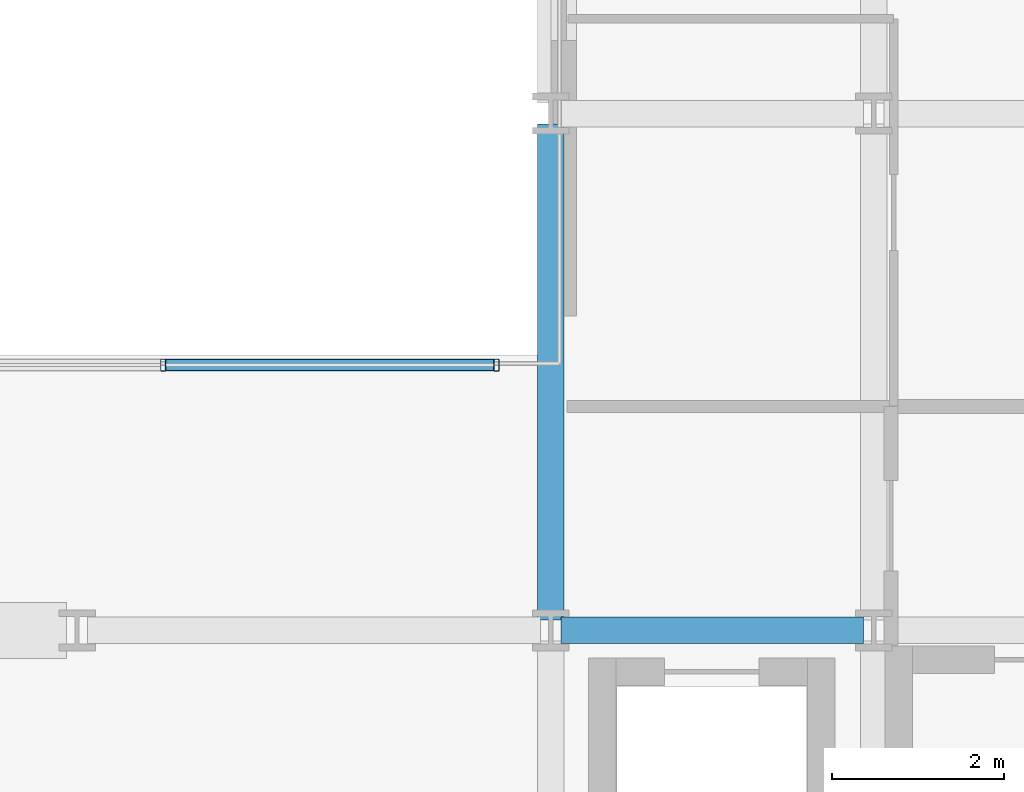
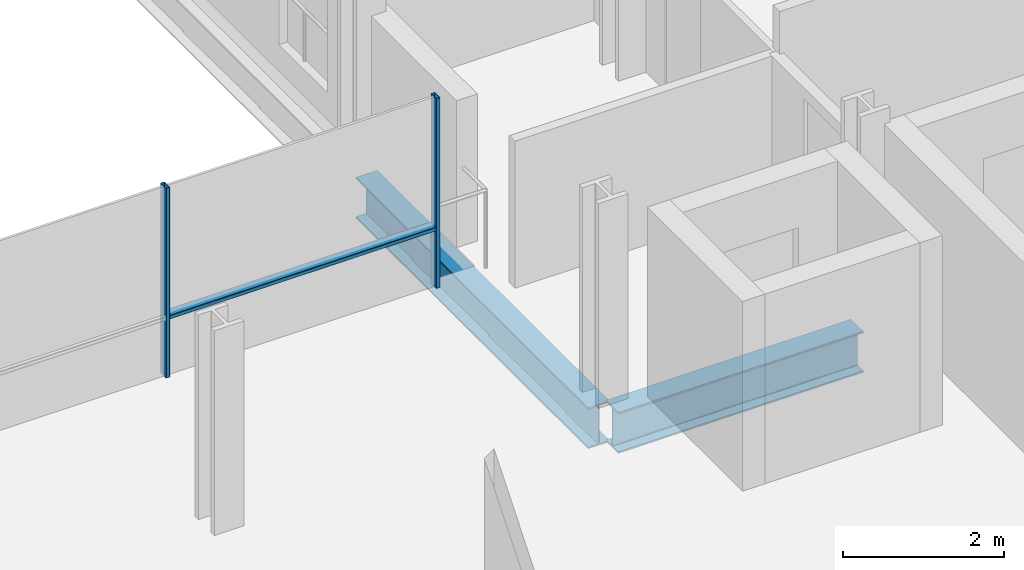
# One storey, part 13 of 41: 3 members, 2 beams, 1 element without a shape of its own.
"""IFC4 building model written with IfcOpenShell, lengths in metres."""

from ifc_helpers import new_model, si_unit, direction, frame, origin, origin_2d, place, context, subcontext, project, spatial, hollow_rectangle, i_section, extrude, material, layer, layer_set, material_profile, profile_set, type_object, element, aggregate, save


model = new_model("IFC4")

# Units and contexts
model_context = context("Model", 3, precision=1e-05, world=origin(), true_north=direction((0.0, 1.0)))
body_context = subcontext(model_context, "Body", "Model", "MODEL_VIEW")
ifc_project = project(units=[si_unit("LENGTHUNIT", "METRE"), si_unit("AREAUNIT", "SQUARE_METRE"), si_unit("VOLUMEUNIT", "CUBIC_METRE"), si_unit("PLANEANGLEUNIT", "RADIAN"), si_unit("MASSUNIT", "GRAM", prefix="KILO")], contexts=[model_context])

# Site, building, storey
site_placement = place(None, origin())
site = spatial("IfcSite", under=ifc_project, at=site_placement, CompositionType="ELEMENT")
building_placement = place(site_placement, origin())
building = spatial("IfcBuilding", under=site, at=building_placement, Name="Brevholm Reach", CompositionType="ELEMENT")
storey_placement = place(building_placement, frame((0.0, 0.0, 49.699951171875)))
storey = spatial("IfcBuildingStorey", under=building, at=storey_placement, Name="L13", CompositionType="ELEMENT", Elevation=49.699951171875)

# Beams
ifc_material_1 = material(Name="Structural Steel S355J2", Category="steel")
ifc_material_profile_1 = material_profile(ifc_material_1, i_section(OverallWidth=0.30712890625, OverallDepth=0.6201171875, WebThickness=0.01416015625, FlangeThickness=0.023681640625, FilletRadius=0.0166015625, at=origin_2d()), Name="UKB 610x305x179")
ifc_profile_set_1 = profile_set([ifc_material_profile_1], Name="Structural Steel S355J2")
beam_type = type_object("IfcBeamType", Name="BM-UKB610H", PredefinedType="USERDEFINED", material=ifc_profile_set_1)
beam_1_placement = place(storey_placement, frame((38.3701171875, 10.0, -0.5400390625), z_axis=(1.0, 0.0, 0.0), x_axis=(0.0, 1.0, 0.0)))
element("IfcBeam", 1, at=beam_1_placement, inside=storey, type_object=beam_type, Name="L13 G-06 Framing Beam", ObjectType="GIRDER", PredefinedType="USERDEFINED", context=body_context, shape_type="SweptSolid", body=[
    extrude(i_section(OverallWidth=0.30712890625, OverallDepth=0.6201171875, WebThickness=0.01416015625, FlangeThickness=0.023681640625, FilletRadius=0.0166015625, at=origin_2d()), origin(), (0.0, 0.0, 1.0), 3.509765625),
])
beam_2_placement = place(storey_placement, frame((38.25, 10.1201171875, -0.5400390625), z_axis=(0.0, 1.0, 0.0), x_axis=(-1.0, 0.0, 0.0)))
element("IfcBeam", 2, at=beam_2_placement, inside=storey, type_object=beam_type, Name="L13 G-06 Framing Beam", ObjectType="GIRDER", PredefinedType="USERDEFINED", context=body_context, shape_type="SweptSolid", body=[
    extrude(i_section(OverallWidth=0.30712890625, OverallDepth=0.6201171875, WebThickness=0.01416015625, FlangeThickness=0.023681640625, FilletRadius=0.0166015625, at=origin_2d()), origin(), (0.0, 0.0, 1.0), 5.759765625),
])

# Curtain wall, members
ifc_material_2 = material(Name="Dark Anodised Aluminium 6063-T6 and Solar-Control Glass", Category="aluminium")
ifc_layer = layer(ifc_material_2, 0.139892578125)
ifc_layer_set = layer_set([ifc_layer], Name="Dark Anodised Aluminium 6063-T6 and Solar-Control Glass")
curtain_wall_type = type_object("IfcCurtainWallType", Name="CW-02", PredefinedType="NOTDEFINED", material=ifc_layer_set)
curtain_wall_placement = place(storey_placement, origin())
curtain_wall = element("IfcCurtainWall", 3, at=curtain_wall_placement, inside=storey, type_object=curtain_wall_type, Name="L13 Curtain Wall CW-02", PredefinedType="NOTDEFINED")
ifc_material_3 = material(Name="Dark Anodised Aluminium 6063-T6", Category="aluminium")
ifc_material_profile_2 = material_profile(ifc_material_3, hollow_rectangle(XDim=0.06005859375, YDim=0.139892578125, WallThickness=0.0048828125, InnerFilletRadius=0.0048828125, OuterFilletRadius=0.010009765625, at=origin_2d()), Name="RHS 140x60x5")
ifc_profile_set_2 = profile_set([ifc_material_profile_2], Name="Dark Anodised Aluminium 6063-T6")
member_type_1 = type_object("IfcMemberType", Name="CWM-140", PredefinedType="MULLION", material=ifc_profile_set_2)
member_1_placement = place(storey_placement, frame((33.75, 13.080078125, 0.0), z_axis=(0.0, 0.0, 1.0), x_axis=(1.0, 0.0, 0.0)))
member_1 = element("IfcMember", 4, at=member_1_placement, type_object=member_type_1, Name="CM-140 Mullion 4", PredefinedType="MULLION", context=body_context, shape_type="SweptSolid", body=[
    extrude(hollow_rectangle(XDim=0.06005859375, YDim=0.139892578125, WallThickness=0.0048828125, InnerFilletRadius=0.0048828125, OuterFilletRadius=0.010009765625, at=origin_2d()), origin(), (0.0, 0.0, 1.0), 2.8701171875),
])
member_2_placement = place(storey_placement, frame((37.6201171875, 13.080078125, 0.0), z_axis=(0.0, 0.0, 1.0), x_axis=(1.0, 0.0, 0.0)))
member_2 = element("IfcMember", 5, at=member_2_placement, type_object=member_type_1, Name="CM-140 Mullion 5", PredefinedType="MULLION", context=body_context, shape_type="SweptSolid", body=[
    extrude(hollow_rectangle(XDim=0.06005859375, YDim=0.139892578125, WallThickness=0.0048828125, InnerFilletRadius=0.0048828125, OuterFilletRadius=0.010009765625, at=origin_2d()), origin(), (0.0, 0.0, 1.0), 2.8701171875),
])
ifc_material_4 = material(Name="Dark Anodised Aluminium 6063-T6", Category="aluminium")
ifc_material_profile_3 = material_profile(ifc_material_4, hollow_rectangle(XDim=0.06005859375, YDim=0.139892578125, WallThickness=0.0048828125, InnerFilletRadius=0.0048828125, OuterFilletRadius=0.010009765625, at=origin_2d()), Name="RHS 140x60x5")
ifc_profile_set_3 = profile_set([ifc_material_profile_3], Name="Dark Anodised Aluminium 6063-T6")
member_type_2 = type_object("IfcMemberType", Name="CWT-140", PredefinedType="NOTDEFINED", material=ifc_profile_set_3)
member_3_placement = place(storey_placement, frame((33.780029296875, 13.080078125, 0.900146484375), z_axis=(1.0, 0.0, 0.0), x_axis=(0.0, 0.0, 1.0)))
member_3 = element("IfcMember", 6, at=member_3_placement, type_object=member_type_2, Name="CT-140 Transom 4.1", ObjectType="TRANSOM", PredefinedType="USERDEFINED", context=body_context, shape_type="SweptSolid", body=[
    extrude(hollow_rectangle(XDim=0.06005859375, YDim=0.139892578125, WallThickness=0.0048828125, InnerFilletRadius=0.0048828125, OuterFilletRadius=0.010009765625, at=origin_2d()), origin(), (0.0, 0.0, 1.0), 3.81005859375),
])
aggregate(curtain_wall, [member_1, member_2, member_3])

save(model, "model.ifc")
